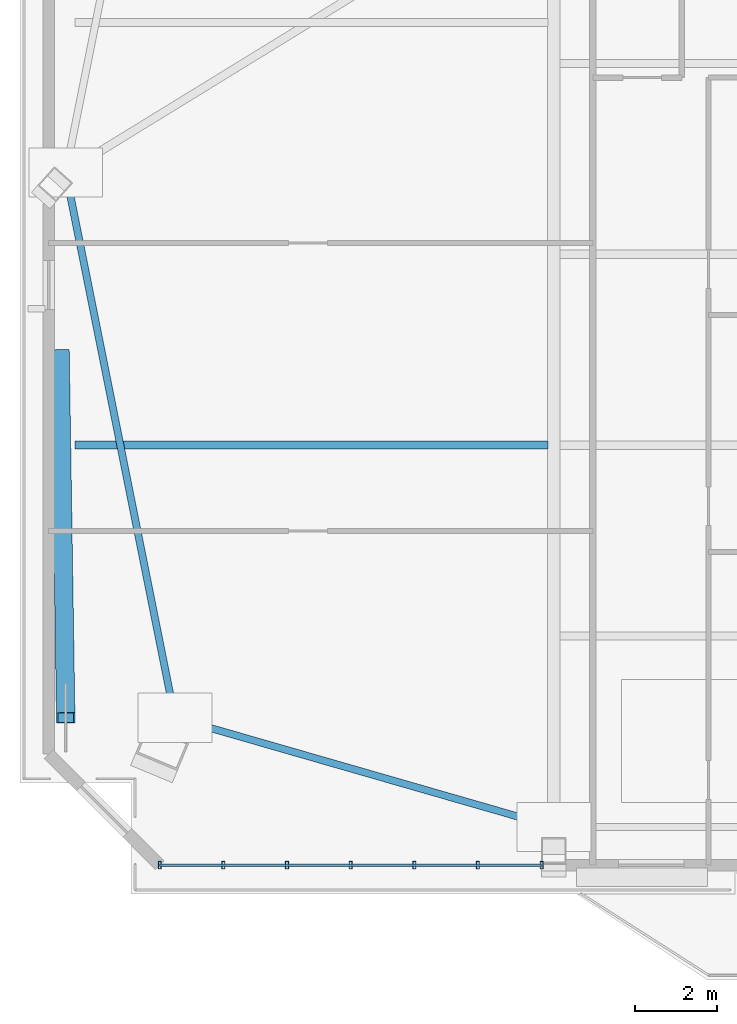
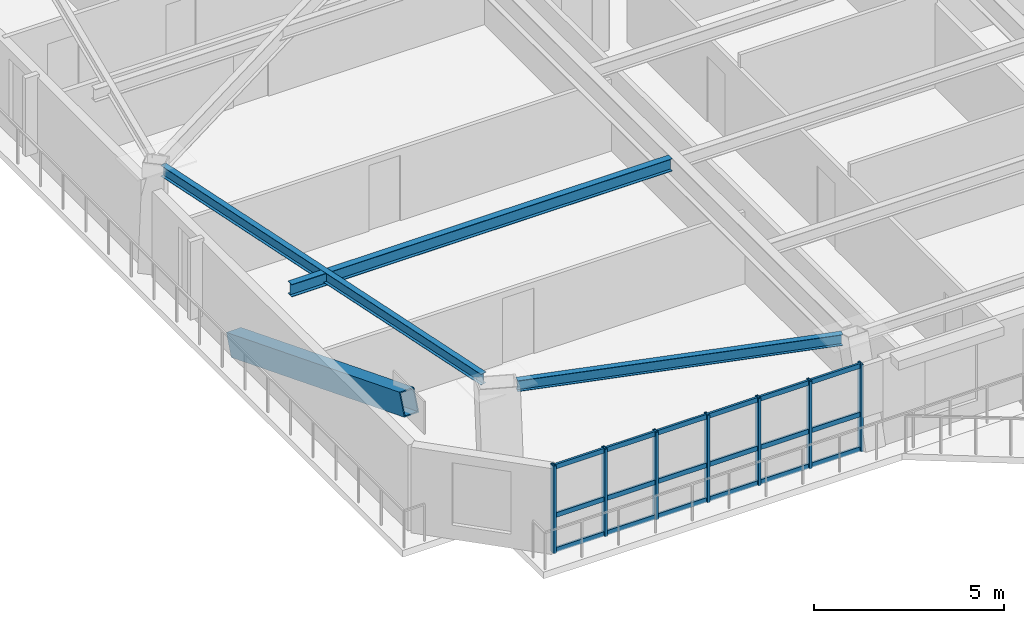
# One storey, part 2 of 16: 11 members, 3 beams, 1 element without a shape of its own.
"""IFC4 building model written with IfcOpenShell, lengths in metres."""

from ifc_helpers import new_model, si_unit, direction, frame, origin, origin_2d, place, context, subcontext, project, spatial, hollow_rectangle, i_section, extrude, source, transform, mapped, material, layer, layer_set, material_profile, profile_set, type_object, element, aggregate, save


model = new_model("IFC4")

# Units and contexts
model_context = context("Model", 3, precision=1e-05, world=origin(), true_north=direction((0.0, 1.0)))
body_context = subcontext(model_context, "Body", "Model", "MODEL_VIEW")
ifc_project = project(units=[si_unit("LENGTHUNIT", "METRE"), si_unit("AREAUNIT", "SQUARE_METRE"), si_unit("VOLUMEUNIT", "CUBIC_METRE"), si_unit("PLANEANGLEUNIT", "RADIAN"), si_unit("MASSUNIT", "GRAM", prefix="KILO")], contexts=[model_context])

# Site, building, storey
site_placement = place(None, origin())
site = spatial("IfcSite", under=ifc_project, at=site_placement, CompositionType="ELEMENT")
building_placement = place(site_placement, origin())
building = spatial("IfcBuilding", under=site, at=building_placement, Name="Giltprow Tower", CompositionType="ELEMENT")
storey_placement = place(building_placement, frame((0.0, 0.0, 233.800048828125)))
storey = spatial("IfcBuildingStorey", under=building, at=storey_placement, Name="L59", CompositionType="ELEMENT", Elevation=233.800048828125)

# Beams
ifc_material_1 = material(Name="Structural steel Q355B", Category="steel")
ifc_material_profile_1 = material_profile(ifc_material_1, i_section(OverallWidth=0.175048828125, OverallDepth=0.35009765625, WebThickness=0.007080078125, FlangeThickness=0.010986328125, at=origin_2d()), Name="HN 350x175x7x11")
ifc_profile_set_1 = profile_set([ifc_material_profile_1], Name="Structural steel Q355B")
beam_type_1 = type_object("IfcBeamType", Name="BM-SPAN-HN350", PredefinedType="SPANDREL", material=ifc_profile_set_1)
shared_shape_1 = source(origin(), body_context, "Body", "SweptSolid", [
    extrude(i_section(OverallWidth=0.175048828125, OverallDepth=0.35009765625, WebThickness=0.007080078125, FlangeThickness=0.010986328125, at=origin_2d()), origin(), (0.0, 0.0, 1.0), 8.79638671875),
])
beam_1_placement = place(storey_placement, frame((11.123046875, 16.695068359375, 2.945068359375), z_axis=(0.960952122216, -0.276714688458, 0.0), x_axis=(0.276714688458, 0.960952122216, 0.0)))
element("IfcBeam", 1, at=beam_1_placement, inside=storey, type_object=beam_type_1, Name="L59 Perimeter Spandrel Beam MC_SW-S1", PredefinedType="SPANDREL", context=body_context, shape_type="MappedRepresentation", body=[
    mapped(shared_shape_1, transform((0.0, 0.0, 0.0), x_axis=(1.0, 0.0, 0.0), y_axis=(0.0, 1.0, 0.0), z_axis=(0.0, 0.0, 1.0), scale=1.0)),
])
shared_shape_2 = source(origin(), body_context, "Body", "SweptSolid", [
    extrude(i_section(OverallWidth=0.175048828125, OverallDepth=0.35009765625, WebThickness=0.007080078125, FlangeThickness=0.010986328125, at=origin_2d()), origin(), (0.0, 0.0, 1.0), 12.74169921875),
])
beam_2_placement = place(storey_placement, frame((8.00390625, 29.862060546875, 2.945068359375), z_axis=(0.19620456789, -0.980562984993, 0.0), x_axis=(0.980562984993, 0.19620456789, 0.0)))
element("IfcBeam", 2, at=beam_2_placement, inside=storey, type_object=beam_type_1, Name="L59 Perimeter Spandrel Beam W_MID-MC_SW", PredefinedType="SPANDREL", context=body_context, shape_type="MappedRepresentation", body=[
    mapped(shared_shape_2, transform((0.0, 0.0, 0.0), x_axis=(1.0, 0.0, 0.0), y_axis=(0.0, 1.0, 0.0), z_axis=(0.0, 0.0, 1.0), scale=1.0)),
])
ifc_material_profile_2 = material_profile(ifc_material_1, i_section(OverallWidth=0.199951171875, OverallDepth=0.39990234375, WebThickness=0.008056640625, FlangeThickness=0.012939453125, at=origin_2d()), Name="HN 400x200x8x13")
ifc_profile_set_2 = profile_set([ifc_material_profile_2], Name="Structural steel Q355B")
beam_type_2 = type_object("IfcBeamType", Name="BM-JOIST-HN400", PredefinedType="JOIST", material=ifc_profile_set_2)
shared_shape_3 = source(origin(), body_context, "Body", "SweptSolid", [
    extrude(i_section(OverallWidth=0.199951171875, OverallDepth=0.39990234375, WebThickness=0.008056640625, FlangeThickness=0.012939453125, at=origin_2d()), origin(), (0.0, 0.0, 1.0), 11.537109375),
])
beam_3_placement = place(storey_placement, frame((8.16796875, 23.491943359375, 2.919921875), z_axis=(1.0, 0.0, 0.0), x_axis=(0.0, 1.0, 0.0)))
element("IfcBeam", 3, at=beam_3_placement, inside=storey, type_object=beam_type_2, Name="L59 West Wing Floor Joist 1", PredefinedType="JOIST", context=body_context, shape_type="MappedRepresentation", body=[
    mapped(shared_shape_3, transform((0.0, 0.0, 0.0), x_axis=(1.0, 0.0, 0.0), y_axis=(0.0, 1.0, 0.0), z_axis=(0.0, 0.0, 1.0), scale=1.0)),
])

# Member
ifc_material_2 = material(Name="Structural steel Q420GJC", Category="steel")
ifc_material_profile_3 = material_profile(ifc_material_2, hollow_rectangle(XDim=0.449951171875, YDim=0.699951171875, WallThickness=0.031982421875, at=origin_2d()), Name="RHS 700x450x32")
ifc_profile_set_3 = profile_set([ifc_material_profile_3], Name="Structural steel Q420GJC")
member_type_1 = type_object("IfcMemberType", Name="MBR-MEGA-RHS700", PredefinedType="BRACE", material=ifc_profile_set_3)
shared_shape_4 = source(origin(), body_context, "Body", "SweptSolid", [
    extrude(hollow_rectangle(XDim=0.449951171875, YDim=0.699951171875, WallThickness=0.031982421875, at=origin_2d()), origin(), (0.0, 0.0, 1.0), 9.481689453125),
])
member_1_placement = place(storey_placement, frame((7.81005859375, 25.693115234375, 0.0), z_axis=(0.014547969901, -0.933387449391, 0.358575272282), x_axis=(0.999878557203, 0.015584314064, 0.0)))
element("IfcMember", 4, at=member_1_placement, inside=storey, type_object=member_type_1, Name="L59 Chevron Mega-Brace W-D", PredefinedType="BRACE", context=body_context, shape_type="MappedRepresentation", body=[
    mapped(shared_shape_4, transform((0.0, 0.0, 0.0), x_axis=(1.0, 0.0, 0.0), y_axis=(0.0, 1.0, 0.0), z_axis=(0.0, 0.0, 1.0), scale=1.0)),
])

# Curtain wall, members
ifc_material_3 = material(Name="Anodized bronze", Category="metal")
ifc_layer = layer(ifc_material_3, 0.179931640625, Name="Anodized bronze")
ifc_layer_set = layer_set([ifc_layer], Name="Anodized bronze")
curtain_wall_type = type_object("IfcCurtainWallType", Name="CW-RES-SKY", PredefinedType="NOTDEFINED", material=ifc_layer_set)
curtain_wall_placement = place(storey_placement, origin())
curtain_wall = element("IfcCurtainWall", 5, at=curtain_wall_placement, inside=storey, type_object=curtain_wall_type, Name="L59 South Recessed Curtain Wall 1", PredefinedType="NOTDEFINED")
ifc_material_profile_4 = material_profile(ifc_material_3, hollow_rectangle(XDim=0.06494140625, YDim=0.14990234375, WallThickness=0.006103515625, at=origin_2d()), Name="RHS 150x65x6")
ifc_profile_set_4 = profile_set([ifc_material_profile_4], Name="Anodized bronze")
member_type_2 = type_object("IfcMemberType", Name="CW-TRANSOM-150x65", PredefinedType="USERDEFINED", material=ifc_profile_set_4)
shared_shape_5 = source(origin(), body_context, "Body", "SweptSolid", [
    extrude(hollow_rectangle(XDim=0.06494140625, YDim=0.14990234375, WallThickness=0.006103515625, at=origin_2d()), origin(), (0.0, 0.0, 1.0), 9.31005859375),
])
member_2_placement = place(storey_placement, frame((10.239990234375, 13.25, 0.0400390625), z_axis=(1.0, 0.0, 0.0), x_axis=(0.0, 1.0, 0.0)))
member_2 = element("IfcMember", 6, at=member_2_placement, type_object=member_type_2, Name="L59 South Recessed Curtain Wall 1 Transom 1", ObjectType="TRANSOM", PredefinedType="USERDEFINED", context=body_context, shape_type="MappedRepresentation", body=[
    mapped(shared_shape_5, transform((0.0, 0.0, 0.0), x_axis=(1.0, 0.0, 0.0), y_axis=(0.0, 1.0, 0.0), z_axis=(0.0, 0.0, 1.0), scale=1.0)),
])
member_3_placement = place(storey_placement, frame((10.239990234375, 13.25, 1.155029296875), z_axis=(1.0, 0.0, 0.0), x_axis=(0.0, 1.0, 0.0)))
member_3 = element("IfcMember", 7, at=member_3_placement, type_object=member_type_2, Name="L59 South Recessed Curtain Wall 1 Transom 2", ObjectType="TRANSOM", PredefinedType="USERDEFINED", context=body_context, shape_type="MappedRepresentation", body=[
    mapped(shared_shape_5, transform((0.0, 0.0, 0.0), x_axis=(1.0, 0.0, 0.0), y_axis=(0.0, 1.0, 0.0), z_axis=(0.0, 0.0, 1.0), scale=1.0)),
])
member_4_placement = place(storey_placement, frame((10.239990234375, 13.25, 2.7099609375), z_axis=(1.0, 0.0, 0.0), x_axis=(0.0, 1.0, 0.0)))
member_4 = element("IfcMember", 8, at=member_4_placement, type_object=member_type_2, Name="L59 South Recessed Curtain Wall 1 Transom 3", ObjectType="TRANSOM", PredefinedType="USERDEFINED", context=body_context, shape_type="MappedRepresentation", body=[
    mapped(shared_shape_5, transform((0.0, 0.0, 0.0), x_axis=(1.0, 0.0, 0.0), y_axis=(0.0, 1.0, 0.0), z_axis=(0.0, 0.0, 1.0), scale=1.0)),
])
ifc_material_profile_5 = material_profile(ifc_material_3, hollow_rectangle(XDim=0.074951171875, YDim=0.179931640625, WallThickness=0.008056640625, at=origin_2d()), Name="RHS 180x75x8")
ifc_profile_set_5 = profile_set([ifc_material_profile_5], Name="Anodized bronze")
member_type_3 = type_object("IfcMemberType", Name="CW-MULLION-180x75", PredefinedType="MULLION", material=ifc_profile_set_5)
shared_shape_6 = source(origin(), body_context, "Body", "SweptSolid", [
    extrude(hollow_rectangle(XDim=0.074951171875, YDim=0.179931640625, WallThickness=0.008056640625, at=origin_2d()), origin(), (0.0, 0.0, 1.0), 2.804931640625),
])
member_5_placement = place(storey_placement, frame((10.239990234375, 13.25, -0.02001953125), z_axis=(0.0, 0.0, 1.0), x_axis=(1.0, 0.0, 0.0)))
member_5 = element("IfcMember", 9, at=member_5_placement, type_object=member_type_3, Name="L59 South Recessed Curtain Wall 1 Mullion 1", PredefinedType="MULLION", context=body_context, shape_type="MappedRepresentation", body=[
    mapped(shared_shape_6, transform((0.0, 0.0, 0.0), x_axis=(1.0, 0.0, 0.0), y_axis=(0.0, 1.0, 0.0), z_axis=(0.0, 0.0, 1.0), scale=1.0)),
])
member_6_placement = place(storey_placement, frame((11.7919921875, 13.25, -0.02001953125), z_axis=(0.0, 0.0, 1.0), x_axis=(1.0, 0.0, 0.0)))
member_6 = element("IfcMember", 10, at=member_6_placement, type_object=member_type_3, Name="L59 South Recessed Curtain Wall 1 Mullion 2", PredefinedType="MULLION", context=body_context, shape_type="MappedRepresentation", body=[
    mapped(shared_shape_6, transform((0.0, 0.0, 0.0), x_axis=(1.0, 0.0, 0.0), y_axis=(0.0, 1.0, 0.0), z_axis=(0.0, 0.0, 1.0), scale=1.0)),
])
member_7_placement = place(storey_placement, frame((13.343017578125, 13.25, -0.02001953125), z_axis=(0.0, 0.0, 1.0), x_axis=(1.0, 0.0, 0.0)))
member_7 = element("IfcMember", 11, at=member_7_placement, type_object=member_type_3, Name="L59 South Recessed Curtain Wall 1 Mullion 3", PredefinedType="MULLION", context=body_context, shape_type="MappedRepresentation", body=[
    mapped(shared_shape_6, transform((0.0, 0.0, 0.0), x_axis=(1.0, 0.0, 0.0), y_axis=(0.0, 1.0, 0.0), z_axis=(0.0, 0.0, 1.0), scale=1.0)),
])
member_8_placement = place(storey_placement, frame((14.89501953125, 13.25, -0.02001953125), z_axis=(0.0, 0.0, 1.0), x_axis=(1.0, 0.0, 0.0)))
member_8 = element("IfcMember", 12, at=member_8_placement, type_object=member_type_3, Name="L59 South Recessed Curtain Wall 1 Mullion 4", PredefinedType="MULLION", context=body_context, shape_type="MappedRepresentation", body=[
    mapped(shared_shape_6, transform((0.0, 0.0, 0.0), x_axis=(1.0, 0.0, 0.0), y_axis=(0.0, 1.0, 0.0), z_axis=(0.0, 0.0, 1.0), scale=1.0)),
])
member_9_placement = place(storey_placement, frame((16.447021484375, 13.25, -0.02001953125), z_axis=(0.0, 0.0, 1.0), x_axis=(1.0, 0.0, 0.0)))
member_9 = element("IfcMember", 13, at=member_9_placement, type_object=member_type_3, Name="L59 South Recessed Curtain Wall 1 Mullion 5", PredefinedType="MULLION", context=body_context, shape_type="MappedRepresentation", body=[
    mapped(shared_shape_6, transform((0.0, 0.0, 0.0), x_axis=(1.0, 0.0, 0.0), y_axis=(0.0, 1.0, 0.0), z_axis=(0.0, 0.0, 1.0), scale=1.0)),
])
member_10_placement = place(storey_placement, frame((17.998046875, 13.25, -0.02001953125), z_axis=(0.0, 0.0, 1.0), x_axis=(1.0, 0.0, 0.0)))
member_10 = element("IfcMember", 14, at=member_10_placement, type_object=member_type_3, Name="L59 South Recessed Curtain Wall 1 Mullion 6", PredefinedType="MULLION", context=body_context, shape_type="MappedRepresentation", body=[
    mapped(shared_shape_6, transform((0.0, 0.0, 0.0), x_axis=(1.0, 0.0, 0.0), y_axis=(0.0, 1.0, 0.0), z_axis=(0.0, 0.0, 1.0), scale=1.0)),
])
member_11_placement = place(storey_placement, frame((19.550048828125, 13.25, -0.02001953125), z_axis=(0.0, 0.0, 1.0), x_axis=(1.0, 0.0, 0.0)))
member_11 = element("IfcMember", 15, at=member_11_placement, type_object=member_type_3, Name="L59 South Recessed Curtain Wall 1 Mullion 7", PredefinedType="MULLION", context=body_context, shape_type="MappedRepresentation", body=[
    mapped(shared_shape_6, transform((0.0, 0.0, 0.0), x_axis=(1.0, 0.0, 0.0), y_axis=(0.0, 1.0, 0.0), z_axis=(0.0, 0.0, 1.0), scale=1.0)),
])
aggregate(curtain_wall, [member_5, member_6, member_7, member_8, member_9, member_10, member_11, member_2, member_3, member_4])

save(model, "model.ifc")
